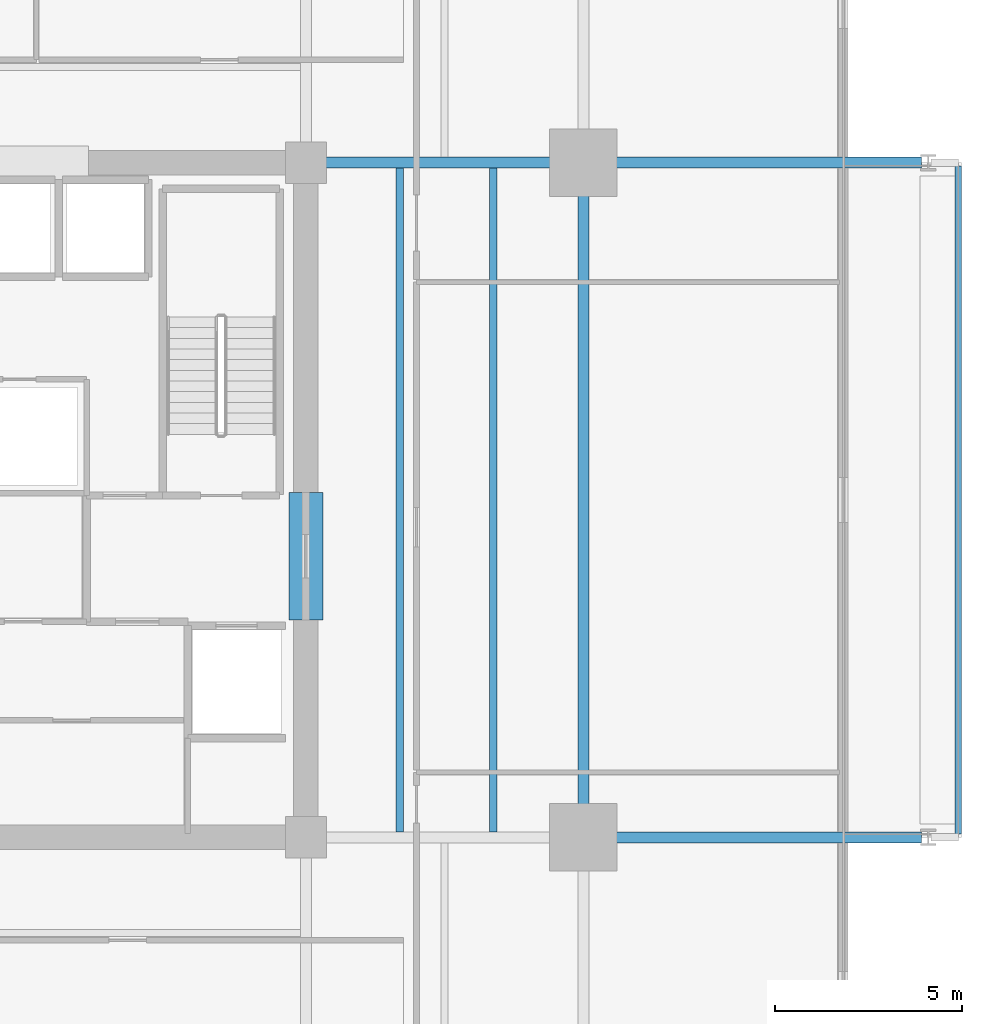
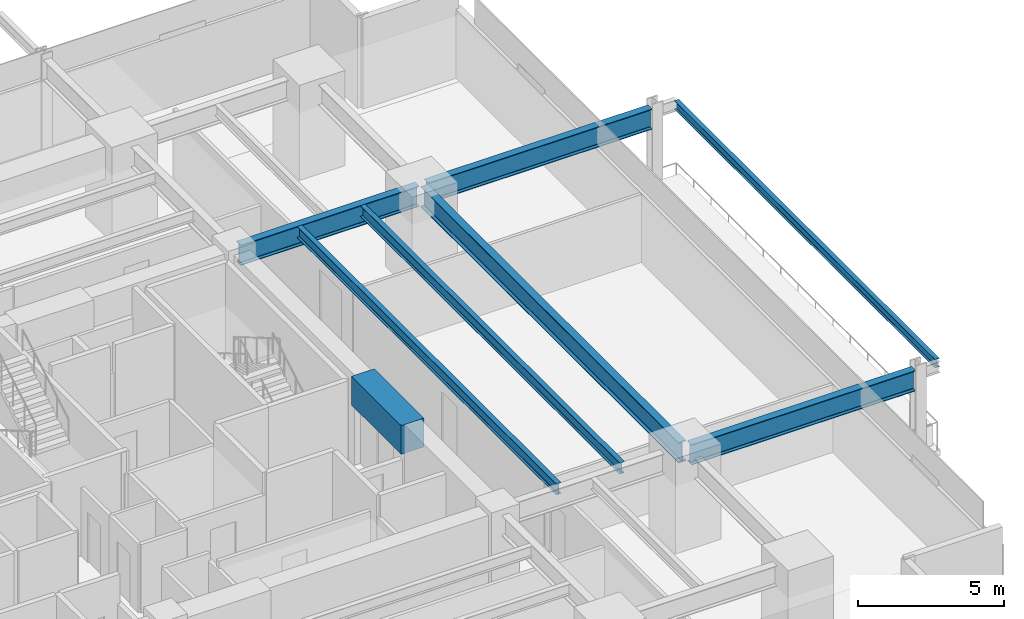
# One storey, part 10 of 22: 8 beams.
"""IFC4 building model written with IfcOpenShell, lengths in metres."""

from ifc_helpers import new_model, si_unit, direction, frame, origin, origin_2d, place, context, subcontext, project, spatial, rectangle, i_section, extrude, material, material_profile, profile_set, type_object, element, save


model = new_model("IFC4")

# Units and contexts
model_context = context("Model", 3, precision=1e-05, world=origin(), true_north=direction((0.0, 1.0)))
body_context = subcontext(model_context, "Body", "Model", "MODEL_VIEW")
ifc_project = project(units=[si_unit("LENGTHUNIT", "METRE"), si_unit("AREAUNIT", "SQUARE_METRE"), si_unit("VOLUMEUNIT", "CUBIC_METRE"), si_unit("PLANEANGLEUNIT", "RADIAN"), si_unit("MASSUNIT", "GRAM", prefix="KILO")], contexts=[model_context])

# Site, building, storey
site_placement = place(None, origin())
site = spatial("IfcSite", under=ifc_project, at=site_placement, CompositionType="ELEMENT")
building_placement = place(site_placement, origin())
building = spatial("IfcBuilding", under=site, at=building_placement, Name="Kovane Verandah Tower", CompositionType="ELEMENT")
storey_placement = place(building_placement, frame((0.0, 0.0, 43.60009765625)))
storey = spatial("IfcBuildingStorey", under=building, at=storey_placement, Name="L09", CompositionType="ELEMENT", Elevation=43.60009765625)

# Beams
ifc_material_1 = material(Name="Concrete C80/95", Category="concrete")
ifc_material_profile_1 = material_profile(ifc_material_1, rectangle(XDim=0.89990234375, YDim=1.199951171875, at=origin_2d()), Name="RCB900x1200")
ifc_profile_set_1 = profile_set([ifc_material_profile_1], Name="Concrete C80/95")
beam_type_1 = type_object("IfcBeamType", Name="BM-LINTEL-900x1200", PredefinedType="LINTEL", material=ifc_profile_set_1)
beam_1_placement = place(storey_placement, frame((51.0, 24.300048828125, 3.159912109375), z_axis=(0.0, 1.0, 0.0), x_axis=(-1.0, 0.0, 0.0)))
element("IfcBeam", 1, at=beam_1_placement, inside=storey, type_object=beam_type_1, Name="L09 Core Coupling Lintel CL-E", PredefinedType="LINTEL", context=body_context, shape_type="SweptSolid", body=[
    extrude(rectangle(XDim=0.89990234375, YDim=1.199951171875, at=origin_2d()), origin(), (0.0, 0.0, 1.0), 3.39990234375),
])
ifc_material_2 = material(Name="Steel S355", Category="steel")
ifc_material_profile_2 = material_profile(ifc_material_2, i_section(OverallWidth=0.293701171875, OverallDepth=0.850830078125, WebThickness=0.01611328125, FlangeThickness=0.02685546875, FilletRadius=0.017822265625, at=origin_2d()), Name="UB838x292x226")
ifc_profile_set_2 = profile_set([ifc_material_profile_2], Name="Steel S355")
beam_type_2 = type_object("IfcBeamType", Name="BM-UB838x226", PredefinedType="BEAM", material=ifc_profile_set_2)
beam_2_placement = place(storey_placement, frame((58.39990234375, 18.679931640625, 3.33447265625), z_axis=(0.0, 1.0, 0.0), x_axis=(-1.0, 0.0, 0.0)))
element("IfcBeam", 2, at=beam_2_placement, inside=storey, type_object=beam_type_2, Name="L09 Primary Tower Girder G-RE2", PredefinedType="BEAM", context=body_context, shape_type="SweptSolid", body=[
    extrude(i_section(OverallWidth=0.293701171875, OverallDepth=0.850830078125, WebThickness=0.01611328125, FlangeThickness=0.02685546875, FilletRadius=0.017822265625, at=origin_2d()), origin(), (0.0, 0.0, 1.0), 17.64013671875),
])
beam_3_placement = place(storey_placement, frame((51.179931640625, 36.5, 3.33447265625), z_axis=(1.0, 0.0, 0.0), x_axis=(0.0, 1.0, 0.0)))
element("IfcBeam", 3, at=beam_3_placement, inside=storey, type_object=beam_type_2, Name="L09 Primary Tower Girder G-E2", PredefinedType="BEAM", context=body_context, shape_type="SweptSolid", body=[
    extrude(i_section(OverallWidth=0.293701171875, OverallDepth=0.850830078125, WebThickness=0.01611328125, FlangeThickness=0.02685546875, FilletRadius=0.017822265625, at=origin_2d()), origin(), (0.0, 0.0, 1.0), 7.0400390625),
])
for number, where, z_axis, x_axis, name in (
    (4, (58.580078125, 18.5, 3.33447265625), (1.0, 0.0, 0.0), (0.0, 1.0, 0.0), "L09 Primary Tower Girder G-VE1"),
    (5, (58.580078125, 36.5, 3.33447265625), (1.0, 0.0, 0.0), (0.0, 1.0, 0.0), "L09 Primary Tower Girder G-VE2"),
):
    element("IfcBeam", number, at=place(storey_placement, frame(where, z_axis=z_axis, x_axis=x_axis)), inside=storey, type_object=beam_type_2, Name=name, PredefinedType="BEAM", context=body_context, shape_type="SweptSolid", body=[
        extrude(i_section(OverallWidth=0.293701171875, OverallDepth=0.850830078125, WebThickness=0.01611328125, FlangeThickness=0.02685546875, FilletRadius=0.017822265625, at=origin_2d()), origin(), (0.0, 0.0, 1.0), 8.83984375),
    ])
ifc_material_profile_3 = material_profile(ifc_material_2, i_section(OverallWidth=0.19287109375, OverallDepth=0.46728515625, WebThickness=0.011474609375, FlangeThickness=0.01953125, FilletRadius=0.01025390625, at=origin_2d()), Name="UB457x191x98")
ifc_profile_set_3 = profile_set([ifc_material_profile_3], Name="Steel S355")
beam_type_3 = type_object("IfcBeamType", Name="JST-UB457x98", PredefinedType="JOIST", material=ifc_profile_set_3)
for number, where, z_axis, x_axis, name in (
    (6, (53.5, 18.64501953125, 3.5263671875), (0.0, 1.0, 0.0), (-1.0, 0.0, 0.0), "L09 Secondary Composite Joist J-E1"),
    (7, (56.0, 18.64501953125, 3.5263671875), (0.0, 1.0, 0.0), (-1.0, 0.0, 0.0), "L09 Secondary Composite Joist J-E2"),
):
    element("IfcBeam", number, at=place(storey_placement, frame(where, z_axis=z_axis, x_axis=x_axis)), inside=storey, type_object=beam_type_3, Name=name, PredefinedType="JOIST", context=body_context, shape_type="SweptSolid", body=[
        extrude(i_section(OverallWidth=0.19287109375, OverallDepth=0.46728515625, WebThickness=0.011474609375, FlangeThickness=0.01953125, FilletRadius=0.01025390625, at=origin_2d()), origin(), (0.0, 0.0, 1.0), 17.7099609375),
    ])
ifc_material_profile_4 = material_profile(ifc_material_2, i_section(OverallWidth=0.173095703125, OverallDepth=0.36328125, WebThickness=0.009033203125, FlangeThickness=0.015625, FilletRadius=0.01025390625, at=origin_2d()), Name="UB356x171x67")
ifc_profile_set_4 = profile_set([ifc_material_profile_4], Name="Steel S355")
beam_type_4 = type_object("IfcBeamType", Name="SPD-UB356x67", PredefinedType="USERDEFINED", material=ifc_profile_set_4)
beam_4_placement = place(storey_placement, frame((68.408935546875, 18.594482421875, 3.578125), z_axis=(0.0, 1.0, 0.0), x_axis=(-1.0, 0.0, 0.0)))
element("IfcBeam", 8, at=beam_4_placement, inside=storey, type_object=beam_type_4, Name="L09 East Planter Edge Spandrel", ObjectType="SPANDREL", PredefinedType="USERDEFINED", context=body_context, shape_type="SweptSolid", body=[
    extrude(i_section(OverallWidth=0.173095703125, OverallDepth=0.36328125, WebThickness=0.009033203125, FlangeThickness=0.015625, FilletRadius=0.01025390625, at=origin_2d()), origin(), (0.0, 0.0, 1.0), 17.81103515625),
])

save(model, "model.ifc")
